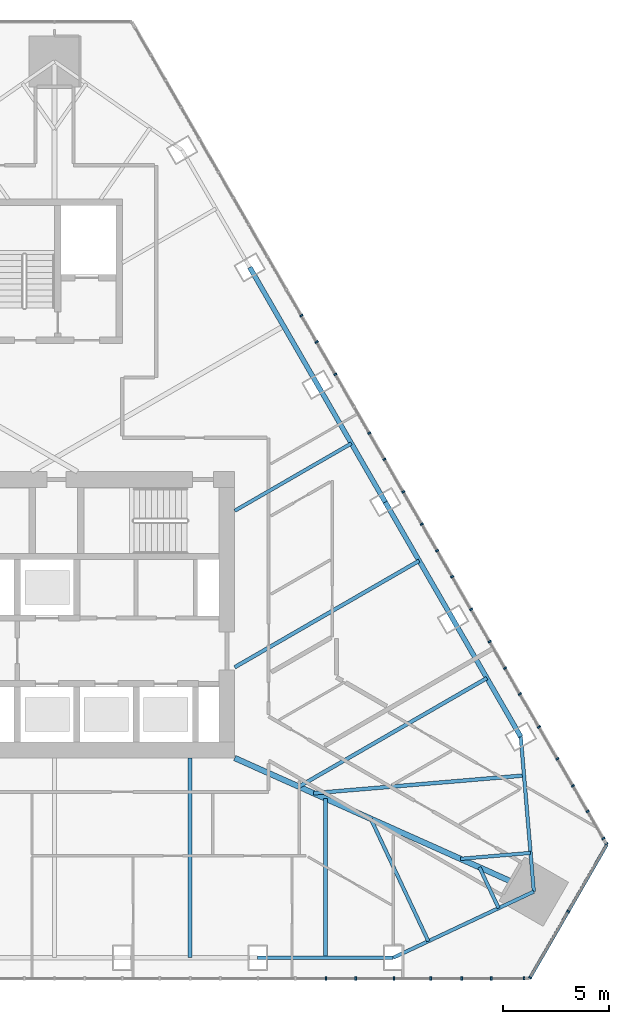
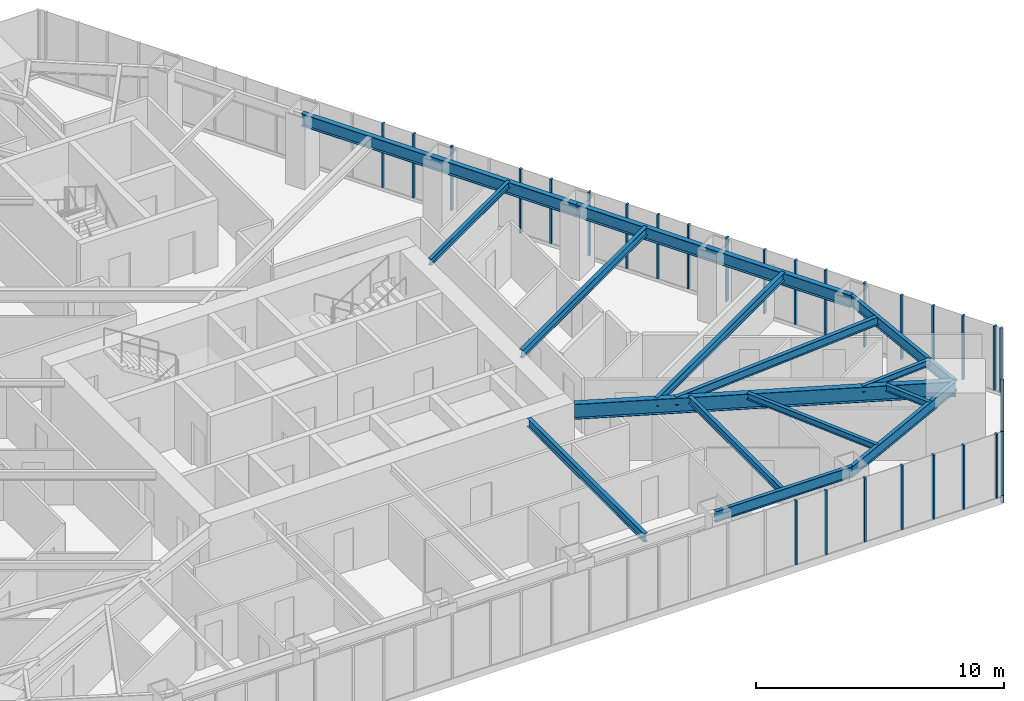
# One storey, part 8 of 21: 29 members, 15 beams, 3 elements without a shape of their own.
"""IFC4 building model written with IfcOpenShell, lengths in metres."""

from ifc_helpers import new_model, si_unit, direction, frame, origin, origin_2d, place, context, subcontext, project, spatial, rectangle, i_section, extrude, material, layer, layer_set, material_profile, profile_set, type_object, element, aggregate, save


model = new_model("IFC4")

# Units and contexts
model_context = context("Model", 3, precision=1e-05, world=origin(), true_north=direction((0.0, 1.0)))
body_context = subcontext(model_context, "Body", "Model", "MODEL_VIEW")
ifc_project = project(units=[si_unit("LENGTHUNIT", "METRE"), si_unit("AREAUNIT", "SQUARE_METRE"), si_unit("VOLUMEUNIT", "CUBIC_METRE"), si_unit("PLANEANGLEUNIT", "RADIAN"), si_unit("MASSUNIT", "GRAM", prefix="KILO")], contexts=[model_context])

# Site, building, storey
site_placement = place(None, origin())
site = spatial("IfcSite", under=ifc_project, at=site_placement, CompositionType="ELEMENT")
building_placement = place(site_placement, origin())
building = spatial("IfcBuilding", under=site, at=building_placement, Name="Firuza Gate Tower and Library", CompositionType="ELEMENT")
storey_placement = place(building_placement, frame((0.0, 0.0, 284.60009765625)))
storey = spatial("IfcBuildingStorey", under=building, at=storey_placement, Name="L68", CompositionType="ELEMENT", Elevation=284.60009765625)

# Curtain wall, members
ifc_material_1 = material(Name="Aluminium 6063-T6", Category="aluminium")
ifc_layer_1 = layer(ifc_material_1, 0.14990234375)
ifc_layer_set_1 = layer_set([ifc_layer_1], Name="Unitised curtain wall, residences")
curtain_wall_type_1 = type_object("IfcCurtainWallType", Name="Unitised curtain wall, residences", PredefinedType="NOTDEFINED", material=ifc_layer_set_1)
placement = place(storey_placement, origin())
curtain_wall_1 = element("IfcCurtainWall", 1, at=placement, inside=storey, type_object=curtain_wall_type_1, Name="CW3 L68 S face", PredefinedType="NOTDEFINED")
ifc_material_2 = material(Name="Aluminium 6063-T6", Category="aluminium")
ifc_material_profile_1 = material_profile(ifc_material_2, rectangle(XDim=0.14990234375, YDim=0.080078125, at=origin_2d()))
ifc_profile_set_1 = profile_set([ifc_material_profile_1], Name="Aluminium 6063-T6")
member_type_1 = type_object("IfcMemberType", Name="Curtain wall mullion 80x150", PredefinedType="MULLION", material=ifc_profile_set_1)
member_1_placement = place(storey_placement, frame((87.803466796875, 57.85693359375, 0.14990234375), z_axis=(0.0, 0.0, 1.0), x_axis=(0.0, 1.0, 0.0)))
member_1 = element("IfcMember", 2, at=member_1_placement, type_object=member_type_1, Name="Mullion", PredefinedType="MULLION", context=body_context, shape_type="SweptSolid", body=[
    extrude(rectangle(XDim=0.14990234375, YDim=0.080078125, at=origin_2d()), origin(), (0.0, 0.0, 1.0), 3.14990234375),
])
member_2_placement = place(storey_placement, frame((91.004150390625, 57.85693359375, 0.14990234375), z_axis=(0.0, 0.0, 1.0), x_axis=(0.0, 1.0, 0.0)))
member_2 = element("IfcMember", 3, at=member_2_placement, type_object=member_type_1, Name="Mullion", PredefinedType="MULLION", context=body_context, shape_type="SweptSolid", body=[
    extrude(rectangle(XDim=0.14990234375, YDim=0.080078125, at=origin_2d()), origin(), (0.0, 0.0, 1.0), 3.14990234375),
])
member_3_placement = place(storey_placement, frame((94.205078125, 57.85693359375, 0.14990234375), z_axis=(0.0, 0.0, 1.0), x_axis=(0.0, 1.0, 0.0)))
member_3 = element("IfcMember", 4, at=member_3_placement, type_object=member_type_1, Name="Mullion", PredefinedType="MULLION", context=body_context, shape_type="SweptSolid", body=[
    extrude(rectangle(XDim=0.14990234375, YDim=0.080078125, at=origin_2d()), origin(), (0.0, 0.0, 1.0), 3.14990234375),
])
member_4_placement = place(storey_placement, frame((89.20703125, 57.85693359375, 0.14990234375), z_axis=(0.0, 0.0, 1.0), x_axis=(0.0, 1.0, 0.0)))
member_4 = element("IfcMember", 5, at=member_4_placement, type_object=member_type_1, Name="Mullion", PredefinedType="MULLION", context=body_context, shape_type="SweptSolid", body=[
    extrude(rectangle(XDim=0.14990234375, YDim=0.080078125, at=origin_2d()), origin(), (0.0, 0.0, 1.0), 3.14990234375),
])
member_5_placement = place(storey_placement, frame((92.73974609375, 57.85693359375, 0.14990234375), z_axis=(0.0, 0.0, 1.0), x_axis=(0.0, 1.0, 0.0)))
member_5 = element("IfcMember", 6, at=member_5_placement, type_object=member_type_1, Name="Mullion", PredefinedType="MULLION", context=body_context, shape_type="SweptSolid", body=[
    extrude(rectangle(XDim=0.14990234375, YDim=0.080078125, at=origin_2d()), origin(), (0.0, 0.0, 1.0), 3.14990234375),
])
member_6_placement = place(storey_placement, frame((95.596435546875, 57.85693359375, 0.14990234375), z_axis=(0.0, 0.0, 1.0), x_axis=(0.0, 1.0, 0.0)))
member_6 = element("IfcMember", 7, at=member_6_placement, type_object=member_type_1, Name="Mullion", PredefinedType="MULLION", context=body_context, shape_type="SweptSolid", body=[
    extrude(rectangle(XDim=0.14990234375, YDim=0.080078125, at=origin_2d()), origin(), (0.0, 0.0, 1.0), 3.14990234375),
])
member_7_placement = place(storey_placement, frame((97.139892578125, 57.85693359375, 0.14990234375), z_axis=(0.0, 0.0, 1.0), x_axis=(0.0, 1.0, 0.0)))
member_7 = element("IfcMember", 8, at=member_7_placement, type_object=member_type_1, Name="Mullion", PredefinedType="MULLION", context=body_context, shape_type="SweptSolid", body=[
    extrude(rectangle(XDim=0.14990234375, YDim=0.080078125, at=origin_2d()), origin(), (0.0, 0.0, 1.0), 3.14990234375),
])
aggregate(curtain_wall_1, [member_1, member_2, member_3, member_4, member_5, member_6, member_7])

ifc_material_3 = material(Name="Aluminium 6063-T6", Category="aluminium")
ifc_layer_2 = layer(ifc_material_3, 0.14990234375)
ifc_layer_set_2 = layer_set([ifc_layer_2], Name="Corner curtain wall, chamfers")
curtain_wall_type_2 = type_object("IfcCurtainWallType", Name="Corner curtain wall, chamfers", PredefinedType="NOTDEFINED", material=ifc_layer_set_2)
curtain_wall_2 = element("IfcCurtainWall", 9, at=placement, inside=storey, type_object=curtain_wall_type_2, Name="CW4 L68 SE corner", PredefinedType="NOTDEFINED")
member_8_placement = place(storey_placement, frame((97.426025390625, 57.8916015625, 0.14990234375), z_axis=(0.0, 0.0, 1.0), x_axis=(-0.866025403784, 0.5, 0.0)))
member_8 = element("IfcMember", 10, at=member_8_placement, type_object=member_type_1, Name="Mullion", PredefinedType="MULLION", context=body_context, shape_type="SweptSolid", body=[
    extrude(rectangle(XDim=0.14990234375, YDim=0.080078125, at=origin_2d()), origin(), (0.0, 0.0, 1.0), 3.14990234375),
])
member_9_placement = place(storey_placement, frame((99.2275390625, 61.01220703125, 0.14990234375), z_axis=(0.0, 0.0, 1.0), x_axis=(-0.866025403784, 0.5, 0.0)))
member_9 = element("IfcMember", 11, at=member_9_placement, type_object=member_type_1, Name="Mullion", PredefinedType="MULLION", context=body_context, shape_type="SweptSolid", body=[
    extrude(rectangle(XDim=0.14990234375, YDim=0.080078125, at=origin_2d()), origin(), (0.0, 0.0, 1.0), 3.14990234375),
])

curtain_wall_3 = element("IfcCurtainWall", 12, at=placement, inside=storey, type_object=curtain_wall_type_1, Name="CW3 L68 E face", PredefinedType="NOTDEFINED")
member_10_placement = place(storey_placement, frame((101.029296875, 64.201904296875, 0.14990234375), z_axis=(0.0, 0.0, 1.0), x_axis=(-0.866025403784, -0.5, 0.0)))
member_10 = element("IfcMember", 13, at=member_10_placement, type_object=member_type_1, Name="Mullion", PredefinedType="MULLION", context=body_context, shape_type="SweptSolid", body=[
    extrude(rectangle(XDim=0.14990234375, YDim=0.080078125, at=origin_2d()), origin(), (0.0, 0.0, 1.0), 3.14990234375),
])
member_11_placement = place(storey_placement, frame((99.44873046875, 66.939453125, 0.14990234375), z_axis=(0.0, 0.0, 1.0), x_axis=(-0.866025403784, -0.5, 0.0)))
member_11 = element("IfcMember", 14, at=member_11_placement, type_object=member_type_1, Name="Mullion", PredefinedType="MULLION", context=body_context, shape_type="SweptSolid", body=[
    extrude(rectangle(XDim=0.14990234375, YDim=0.080078125, at=origin_2d()), origin(), (0.0, 0.0, 1.0), 3.14990234375),
])
member_12_placement = place(storey_placement, frame((97.848388671875, 69.71142578125, 0.14990234375), z_axis=(0.0, 0.0, 1.0), x_axis=(-0.866025403784, -0.5, 0.0)))
member_12 = element("IfcMember", 15, at=member_12_placement, type_object=member_type_1, Name="Mullion", PredefinedType="MULLION", context=body_context, shape_type="SweptSolid", body=[
    extrude(rectangle(XDim=0.14990234375, YDim=0.080078125, at=origin_2d()), origin(), (0.0, 0.0, 1.0), 3.14990234375),
])
member_13_placement = place(storey_placement, frame((96.248046875, 72.4833984375, 0.14990234375), z_axis=(0.0, 0.0, 1.0), x_axis=(-0.866025403784, -0.5, 0.0)))
member_13 = element("IfcMember", 16, at=member_13_placement, type_object=member_type_1, Name="Mullion", PredefinedType="MULLION", context=body_context, shape_type="SweptSolid", body=[
    extrude(rectangle(XDim=0.14990234375, YDim=0.080078125, at=origin_2d()), origin(), (0.0, 0.0, 1.0), 3.14990234375),
])
member_14_placement = place(storey_placement, frame((94.6474609375, 75.25537109375, 0.14990234375), z_axis=(0.0, 0.0, 1.0), x_axis=(-0.866025403784, -0.5, 0.0)))
member_14 = element("IfcMember", 17, at=member_14_placement, type_object=member_type_1, Name="Mullion", PredefinedType="MULLION", context=body_context, shape_type="SweptSolid", body=[
    extrude(rectangle(XDim=0.14990234375, YDim=0.080078125, at=origin_2d()), origin(), (0.0, 0.0, 1.0), 3.14990234375),
])
member_15_placement = place(storey_placement, frame((93.047119140625, 78.027587890625, 0.14990234375), z_axis=(0.0, 0.0, 1.0), x_axis=(-0.866025403784, -0.5, 0.0)))
member_15 = element("IfcMember", 18, at=member_15_placement, type_object=member_type_1, Name="Mullion", PredefinedType="MULLION", context=body_context, shape_type="SweptSolid", body=[
    extrude(rectangle(XDim=0.14990234375, YDim=0.080078125, at=origin_2d()), origin(), (0.0, 0.0, 1.0), 3.14990234375),
])
member_16_placement = place(storey_placement, frame((91.44677734375, 80.799560546875, 0.14990234375), z_axis=(0.0, 0.0, 1.0), x_axis=(-0.866025403784, -0.5, 0.0)))
member_16 = element("IfcMember", 19, at=member_16_placement, type_object=member_type_1, Name="Mullion", PredefinedType="MULLION", context=body_context, shape_type="SweptSolid", body=[
    extrude(rectangle(XDim=0.14990234375, YDim=0.080078125, at=origin_2d()), origin(), (0.0, 0.0, 1.0), 3.14990234375),
])
member_17_placement = place(storey_placement, frame((89.84619140625, 83.571533203125, 0.14990234375), z_axis=(0.0, 0.0, 1.0), x_axis=(-0.866025403784, -0.5, 0.0)))
member_17 = element("IfcMember", 20, at=member_17_placement, type_object=member_type_1, Name="Mullion", PredefinedType="MULLION", context=body_context, shape_type="SweptSolid", body=[
    extrude(rectangle(XDim=0.14990234375, YDim=0.080078125, at=origin_2d()), origin(), (0.0, 0.0, 1.0), 3.14990234375),
])
member_18_placement = place(storey_placement, frame((88.245849609375, 86.343505859375, 0.14990234375), z_axis=(0.0, 0.0, 1.0), x_axis=(-0.866025403784, -0.5, 0.0)))
member_18 = element("IfcMember", 21, at=member_18_placement, type_object=member_type_1, Name="Mullion", PredefinedType="MULLION", context=body_context, shape_type="SweptSolid", body=[
    extrude(rectangle(XDim=0.14990234375, YDim=0.080078125, at=origin_2d()), origin(), (0.0, 0.0, 1.0), 3.14990234375),
])
member_19_placement = place(storey_placement, frame((86.6455078125, 89.115478515625, 0.14990234375), z_axis=(0.0, 0.0, 1.0), x_axis=(-0.866025403784, -0.5, 0.0)))
member_19 = element("IfcMember", 22, at=member_19_placement, type_object=member_type_1, Name="Mullion", PredefinedType="MULLION", context=body_context, shape_type="SweptSolid", body=[
    extrude(rectangle(XDim=0.14990234375, YDim=0.080078125, at=origin_2d()), origin(), (0.0, 0.0, 1.0), 3.14990234375),
])
member_20_placement = place(storey_placement, frame((100.8837890625, 64.4541015625, 0.14990234375), z_axis=(0.0, 0.0, 1.0), x_axis=(-0.866025403784, -0.5, 0.0)))
member_20 = element("IfcMember", 23, at=member_20_placement, type_object=member_type_1, Name="Mullion", PredefinedType="MULLION", context=body_context, shape_type="SweptSolid", body=[
    extrude(rectangle(XDim=0.14990234375, YDim=0.080078125, at=origin_2d()), origin(), (0.0, 0.0, 1.0), 3.14990234375),
])
member_21_placement = place(storey_placement, frame((100.14453125, 65.734619140625, 0.14990234375), z_axis=(0.0, 0.0, 1.0), x_axis=(-0.866025403784, -0.5, 0.0)))
member_21 = element("IfcMember", 24, at=member_21_placement, type_object=member_type_1, Name="Mullion", PredefinedType="MULLION", context=body_context, shape_type="SweptSolid", body=[
    extrude(rectangle(XDim=0.14990234375, YDim=0.080078125, at=origin_2d()), origin(), (0.0, 0.0, 1.0), 3.14990234375),
])
member_22_placement = place(storey_placement, frame((98.716064453125, 68.20849609375, 0.14990234375), z_axis=(0.0, 0.0, 1.0), x_axis=(-0.866025403784, -0.5, 0.0)))
member_22 = element("IfcMember", 25, at=member_22_placement, type_object=member_type_1, Name="Mullion", PredefinedType="MULLION", context=body_context, shape_type="SweptSolid", body=[
    extrude(rectangle(XDim=0.14990234375, YDim=0.080078125, at=origin_2d()), origin(), (0.0, 0.0, 1.0), 3.14990234375),
])
member_23_placement = place(storey_placement, frame((96.94970703125, 71.267822265625, 0.14990234375), z_axis=(0.0, 0.0, 1.0), x_axis=(-0.866025403784, -0.5, 0.0)))
member_23 = element("IfcMember", 26, at=member_23_placement, type_object=member_type_1, Name="Mullion", PredefinedType="MULLION", context=body_context, shape_type="SweptSolid", body=[
    extrude(rectangle(XDim=0.14990234375, YDim=0.080078125, at=origin_2d()), origin(), (0.0, 0.0, 1.0), 3.14990234375),
])
member_24_placement = place(storey_placement, frame((95.521484375, 73.74169921875, 0.14990234375), z_axis=(0.0, 0.0, 1.0), x_axis=(-0.866025403784, -0.5, 0.0)))
member_24 = element("IfcMember", 27, at=member_24_placement, type_object=member_type_1, Name="Mullion", PredefinedType="MULLION", context=body_context, shape_type="SweptSolid", body=[
    extrude(rectangle(XDim=0.14990234375, YDim=0.080078125, at=origin_2d()), origin(), (0.0, 0.0, 1.0), 3.14990234375),
])
member_25_placement = place(storey_placement, frame((93.755126953125, 76.80126953125, 0.14990234375), z_axis=(0.0, 0.0, 1.0), x_axis=(-0.866025403784, -0.5, 0.0)))
member_25 = element("IfcMember", 28, at=member_25_placement, type_object=member_type_1, Name="Mullion", PredefinedType="MULLION", context=body_context, shape_type="SweptSolid", body=[
    extrude(rectangle(XDim=0.14990234375, YDim=0.080078125, at=origin_2d()), origin(), (0.0, 0.0, 1.0), 3.14990234375),
])
member_26_placement = place(storey_placement, frame((92.326904296875, 79.275146484375, 0.14990234375), z_axis=(0.0, 0.0, 1.0), x_axis=(-0.866025403784, -0.5, 0.0)))
member_26 = element("IfcMember", 29, at=member_26_placement, type_object=member_type_1, Name="Mullion", PredefinedType="MULLION", context=body_context, shape_type="SweptSolid", body=[
    extrude(rectangle(XDim=0.14990234375, YDim=0.080078125, at=origin_2d()), origin(), (0.0, 0.0, 1.0), 3.14990234375),
])
member_27_placement = place(storey_placement, frame((90.560546875, 82.33447265625, 0.14990234375), z_axis=(0.0, 0.0, 1.0), x_axis=(-0.866025403784, -0.5, 0.0)))
member_27 = element("IfcMember", 30, at=member_27_placement, type_object=member_type_1, Name="Mullion", PredefinedType="MULLION", context=body_context, shape_type="SweptSolid", body=[
    extrude(rectangle(XDim=0.14990234375, YDim=0.080078125, at=origin_2d()), origin(), (0.0, 0.0, 1.0), 3.14990234375),
])
member_28_placement = place(storey_placement, frame((87.36572265625, 87.867919921875, 0.14990234375), z_axis=(0.0, 0.0, 1.0), x_axis=(-0.866025403784, -0.5, 0.0)))
member_28 = element("IfcMember", 31, at=member_28_placement, type_object=member_type_1, Name="Mullion", PredefinedType="MULLION", context=body_context, shape_type="SweptSolid", body=[
    extrude(rectangle(XDim=0.14990234375, YDim=0.080078125, at=origin_2d()), origin(), (0.0, 0.0, 1.0), 3.14990234375),
])
aggregate(curtain_wall_3, [member_10, member_11, member_12, member_13, member_14, member_15, member_16, member_17, member_18, member_19, member_20, member_21, member_22, member_23, member_24, member_25, member_26, member_27, member_28])

# Member
ifc_material_4 = material(Name="Aluminium 6063-T6", Category="aluminium")
ifc_material_profile_2 = material_profile(ifc_material_4, rectangle(XDim=0.14990234375, YDim=0.35009765625, at=origin_2d()))
ifc_profile_set_2 = profile_set([ifc_material_profile_2], Name="Aluminium 6063-T6")
member_type_2 = type_object("IfcMemberType", Name="Curtain wall transom 350x150", PredefinedType="USERDEFINED", material=ifc_profile_set_2)
member_29_placement = place(storey_placement, frame((97.406005859375, 57.85693359375, -0.025146484375), z_axis=(0.499991211061, 0.866030478021, 0.0), x_axis=(-0.866030478021, 0.499991211061, 0.0)))
member_29 = element("IfcMember", 32, at=member_29_placement, type_object=member_type_2, Name="Transom", ObjectType="TRANSOM", PredefinedType="USERDEFINED", context=body_context, shape_type="SweptSolid", body=[
    extrude(rectangle(XDim=0.14990234375, YDim=0.35009765625, at=origin_2d()), origin(), (0.0, 0.0, 1.0), 7.286865234375),
])

aggregate(curtain_wall_2, [member_8, member_9, member_29])

# Beams
ifc_material_5 = material(Name="Steel S355", Category="steel")
ifc_material_profile_3 = material_profile(ifc_material_5, i_section(OverallWidth=0.1650390625, OverallDepth=0.31005859375, WebThickness=0.005859375, FlangeThickness=0.009765625, at=origin_2d()))
ifc_profile_set_3 = profile_set([ifc_material_profile_3], Name="Steel S355")
beam_type_1 = type_object("IfcBeamType", Name="W310x39 Floor beam", PredefinedType="JOIST", material=ifc_profile_set_3)
beam_1_placement = place(storey_placement, frame((92.630859375, 59.611328125, 3.14501953125), z_axis=(-0.425479956194, 0.904967848532, 0.0), x_axis=(-0.904967848532, -0.425479956194, 0.0)))
element("IfcBeam", 33, at=beam_1_placement, inside=storey, type_object=beam_type_1, Name="Floor beam L68 s30", PredefinedType="JOIST", context=body_context, shape_type="SweptSolid", body=[
    extrude(i_section(OverallWidth=0.1650390625, OverallDepth=0.31005859375, WebThickness=0.005859375, FlangeThickness=0.009765625, at=origin_2d()), origin(), (0.0, 0.0, 1.0), 6.37841796875),
])
beam_2_placement = place(storey_placement, frame((95.9462890625, 61.170166015625, 3.14501953125), z_axis=(-0.425542647258, 0.904938371031, 0.0), x_axis=(-0.904938371031, -0.425542647258, 0.0)))
element("IfcBeam", 34, at=beam_2_placement, inside=storey, type_object=beam_type_1, Name="Floor beam L68 s31", PredefinedType="JOIST", context=body_context, shape_type="SweptSolid", body=[
    extrude(i_section(OverallWidth=0.1650390625, OverallDepth=0.31005859375, WebThickness=0.005859375, FlangeThickness=0.009765625, at=origin_2d()), origin(), (0.0, 0.0, 1.0), 2.126220703125),
])
beam_3_placement = place(storey_placement, frame((97.449951171875, 63.77490234375, 3.14501953125), z_axis=(-0.996467212931, -0.083982697946, 0.0), x_axis=(0.083982697946, -0.996467212931, 0.0)))
element("IfcBeam", 35, at=beam_3_placement, inside=storey, type_object=beam_type_1, Name="Floor beam L68 s40", PredefinedType="JOIST", context=body_context, shape_type="SweptSolid", body=[
    extrude(i_section(OverallWidth=0.1650390625, OverallDepth=0.31005859375, WebThickness=0.005859375, FlangeThickness=0.009765625, at=origin_2d()), origin(), (0.0, 0.0, 1.0), 3.31982421875),
])
beam_4_placement = place(storey_placement, frame((89.001953125, 83.083984375, 3.14501953125), z_axis=(-0.866028160477, -0.499995225238, 0.0), x_axis=(0.499995225238, -0.866028160477, 0.0)))
element("IfcBeam", 36, at=beam_4_placement, inside=storey, type_object=beam_type_1, Name="Floor beam L68 s52", PredefinedType="JOIST", context=body_context, shape_type="SweptSolid", body=[
    extrude(i_section(OverallWidth=0.1650390625, OverallDepth=0.31005859375, WebThickness=0.005859375, FlangeThickness=0.009765625, at=origin_2d()), origin(), (0.0, 0.0, 1.0), 6.35302734375),
])
ifc_material_6 = material(Name="Steel S355", Category="steel")
ifc_material_profile_4 = material_profile(ifc_material_6, i_section(OverallWidth=0.1708984375, OverallDepth=0.35498046875, WebThickness=0.007080078125, FlangeThickness=0.01171875, at=origin_2d()))
ifc_profile_set_4 = profile_set([ifc_material_profile_4], Name="Steel S355")
beam_type_2 = type_object("IfcBeamType", Name="W360x51 Floor beam", PredefinedType="JOIST", material=ifc_profile_set_4)
beam_5_placement = place(storey_placement, frame((87.778564453125, 58.83203125, 3.122314453125), z_axis=(0.0, 1.0, 0.0), x_axis=(-1.0, 0.0, 0.0)))
element("IfcBeam", 37, at=beam_5_placement, inside=storey, type_object=beam_type_2, Name="Floor beam L68 s24", PredefinedType="JOIST", context=body_context, shape_type="SweptSolid", body=[
    extrude(i_section(OverallWidth=0.1708984375, OverallDepth=0.35498046875, WebThickness=0.007080078125, FlangeThickness=0.01171875, at=origin_2d()), origin(), (0.0, 0.0, 1.0), 7.506591796875),
])
ifc_material_7 = material(Name="Steel S355", Category="steel")
ifc_material_profile_5 = material_profile(ifc_material_7, i_section(OverallWidth=0.177978515625, OverallDepth=0.406982421875, WebThickness=0.0078125, FlangeThickness=0.0126953125, at=origin_2d()))
ifc_profile_set_5 = profile_set([ifc_material_profile_5], Name="Steel S355")
beam_type_3 = type_object("IfcBeamType", Name="W410x60 Floor beam", PredefinedType="JOIST", material=ifc_profile_set_5)
beam_6_placement = place(storey_placement, frame((81.389404296875, 58.83203125, 3.096435546875), z_axis=(0.0, 1.0, 0.0), x_axis=(-1.0, 0.0, 0.0)))
element("IfcBeam", 38, at=beam_6_placement, inside=storey, type_object=beam_type_3, Name="Floor beam L68 s23", PredefinedType="JOIST", context=body_context, shape_type="SweptSolid", body=[
    extrude(i_section(OverallWidth=0.177978515625, OverallDepth=0.406982421875, WebThickness=0.0078125, FlangeThickness=0.0126953125, at=origin_2d()), origin(), (0.0, 0.0, 1.0), 9.41796875),
])
beam_7_placement = place(storey_placement, frame((97.142333984375, 67.425537109375, 3.096435546875), z_axis=(-0.996467212931, -0.083982697946, 0.0), x_axis=(0.083982697946, -0.996467212931, 0.0)))
element("IfcBeam", 39, at=beam_7_placement, inside=storey, type_object=beam_type_3, Name="Floor beam L68 s41", PredefinedType="JOIST", context=body_context, shape_type="SweptSolid", body=[
    extrude(i_section(OverallWidth=0.177978515625, OverallDepth=0.406982421875, WebThickness=0.0078125, FlangeThickness=0.0126953125, at=origin_2d()), origin(), (0.0, 0.0, 1.0), 9.95947265625),
])
beam_8_placement = place(storey_placement, frame((95.391357421875, 72.017333984375, 3.096435546875), z_axis=(-0.866036270578, -0.499981177689, 0.0), x_axis=(0.499981177689, -0.866036270578, 0.0)))
element("IfcBeam", 40, at=beam_8_placement, inside=storey, type_object=beam_type_3, Name="Floor beam L68 s50", PredefinedType="JOIST", context=body_context, shape_type="SweptSolid", body=[
    extrude(i_section(OverallWidth=0.177978515625, OverallDepth=0.406982421875, WebThickness=0.0078125, FlangeThickness=0.0126953125, at=origin_2d()), origin(), (0.0, 0.0, 1.0), 10.23779296875),
])
beam_9_placement = place(storey_placement, frame((92.196533203125, 77.55078125, 3.096435546875), z_axis=(-0.866023234473, -0.500003757339, 0.0), x_axis=(0.500003757339, -0.866023234473, 0.0)))
element("IfcBeam", 41, at=beam_9_placement, inside=storey, type_object=beam_type_3, Name="Floor beam L68 s51", PredefinedType="JOIST", context=body_context, shape_type="SweptSolid", body=[
    extrude(i_section(OverallWidth=0.177978515625, OverallDepth=0.406982421875, WebThickness=0.0078125, FlangeThickness=0.0126953125, at=origin_2d()), origin(), (0.0, 0.0, 1.0), 10.0419921875),
])
ifc_material_8 = material(Name="Steel S355", Category="steel")
ifc_material_profile_6 = material_profile(ifc_material_8, i_section(OverallWidth=0.166015625, OverallDepth=0.534912109375, WebThickness=0.01025390625, FlangeThickness=0.0166015625, at=origin_2d()))
ifc_profile_set_6 = profile_set([ifc_material_profile_6], Name="Steel S355")
beam_type_4 = type_object("IfcBeamType", Name="W530x85 Edge beam", PredefinedType="SPANDREL", material=ifc_profile_set_6)
beam_10_placement = place(storey_placement, frame((84.583984375, 58.83203125, 3.032470703125), z_axis=(1.0, 0.0, 0.0), x_axis=(0.0, 1.0, 0.0)))
element("IfcBeam", 42, at=beam_10_placement, inside=storey, type_object=beam_type_4, Name="Edge beam L68 e24", PredefinedType="SPANDREL", context=body_context, shape_type="SweptSolid", body=[
    extrude(i_section(OverallWidth=0.166015625, OverallDepth=0.534912109375, WebThickness=0.01025390625, FlangeThickness=0.0166015625, at=origin_2d()), origin(), (0.0, 0.0, 1.0), 6.389404296875),
])
beam_11_placement = place(storey_placement, frame((90.973388671875, 58.83203125, 3.032470703125), z_axis=(0.904950057905, 0.425517793632, 0.0), x_axis=(-0.425517793632, 0.904950057905, 0.0)))
element("IfcBeam", 43, at=beam_11_placement, inside=storey, type_object=beam_type_4, Name="Edge beam L68 e30", PredefinedType="SPANDREL", context=body_context, shape_type="SweptSolid", body=[
    extrude(i_section(OverallWidth=0.166015625, OverallDepth=0.534912109375, WebThickness=0.01025390625, FlangeThickness=0.0166015625, at=origin_2d()), origin(), (0.0, 0.0, 1.0), 7.32666015625),
])
beam_12_placement = place(storey_placement, frame((97.603759765625, 61.94970703125, 3.032470703125), z_axis=(-0.083969243734, 0.996468346766, 0.0), x_axis=(-0.996468346766, -0.083969243734, 0.0)))
element("IfcBeam", 44, at=beam_12_placement, inside=storey, type_object=beam_type_4, Name="Edge beam L68 e40", PredefinedType="SPANDREL", context=body_context, shape_type="SweptSolid", body=[
    extrude(i_section(OverallWidth=0.166015625, OverallDepth=0.534912109375, WebThickness=0.01025390625, FlangeThickness=0.0166015625, at=origin_2d()), origin(), (0.0, 0.0, 1.0), 7.326904296875),
])
ifc_material_9 = material(Name="Steel S355", Category="steel")
ifc_material_profile_7 = material_profile(ifc_material_9, i_section(OverallWidth=0.22900390625, OverallDepth=0.612060546875, WebThickness=0.011962890625, FlangeThickness=0.01953125, at=origin_2d()))
ifc_profile_set_7 = profile_set([ifc_material_profile_7], Name="Steel S355")
beam_type_5 = type_object("IfcBeamType", Name="W610x125 Edge beam", PredefinedType="SPANDREL", material=ifc_profile_set_7)
beam_13_placement = place(storey_placement, frame((96.988525390625, 69.250732421875, 2.993896484375), z_axis=(-0.499989821264, 0.866031280401, 0.0), x_axis=(-0.866031280401, -0.499989821264, 0.0)))
element("IfcBeam", 45, at=beam_13_placement, inside=storey, type_object=beam_type_5, Name="Edge beam L68 e50", PredefinedType="SPANDREL", context=body_context, shape_type="SweptSolid", body=[
    extrude(i_section(OverallWidth=0.22900390625, OverallDepth=0.612060546875, WebThickness=0.011962890625, FlangeThickness=0.01953125, at=origin_2d()), origin(), (0.0, 0.0, 1.0), 12.778564453125),
])
beam_14_placement = place(storey_placement, frame((90.599365234375, 80.3173828125, 2.993896484375), z_axis=(-0.500004150346, 0.866023007568, 0.0), x_axis=(-0.866023007568, -0.500004150346, 0.0)))
element("IfcBeam", 46, at=beam_14_placement, inside=storey, type_object=beam_type_5, Name="Edge beam L68 e52", PredefinedType="SPANDREL", context=body_context, shape_type="SweptSolid", body=[
    extrude(i_section(OverallWidth=0.22900390625, OverallDepth=0.612060546875, WebThickness=0.011962890625, FlangeThickness=0.01953125, at=origin_2d()), origin(), (0.0, 0.0, 1.0), 12.77880859375),
])
ifc_material_10 = material(Name="Steel S355", Category="steel")
ifc_material_profile_8 = material_profile(ifc_material_10, i_section(OverallWidth=0.264892578125, OverallDepth=0.7529296875, WebThickness=0.01318359375, FlangeThickness=0.01708984375, at=origin_2d()))
ifc_profile_set_8 = profile_set([ifc_material_profile_8], Name="Steel S355")
beam_type_6 = type_object("IfcBeamType", Name="W760x147 Girder", PredefinedType="BEAM", material=ifc_profile_set_8)
beam_15_placement = place(storey_placement, frame((97.603759765625, 61.94970703125, 2.92333984375), z_axis=(-0.913042148656, 0.407865216435, 0.0), x_axis=(-0.407865216435, -0.913042148656, 0.0)))
element("IfcBeam", 47, at=beam_15_placement, inside=storey, type_object=beam_type_6, Name="Girder L68 gSE", PredefinedType="BEAM", context=body_context, shape_type="SweptSolid", body=[
    extrude(i_section(OverallWidth=0.264892578125, OverallDepth=0.7529296875, WebThickness=0.01318359375, FlangeThickness=0.01708984375, at=origin_2d()), origin(), (0.0, 0.0, 1.0), 15.447021484375),
])

save(model, "model.ifc")
